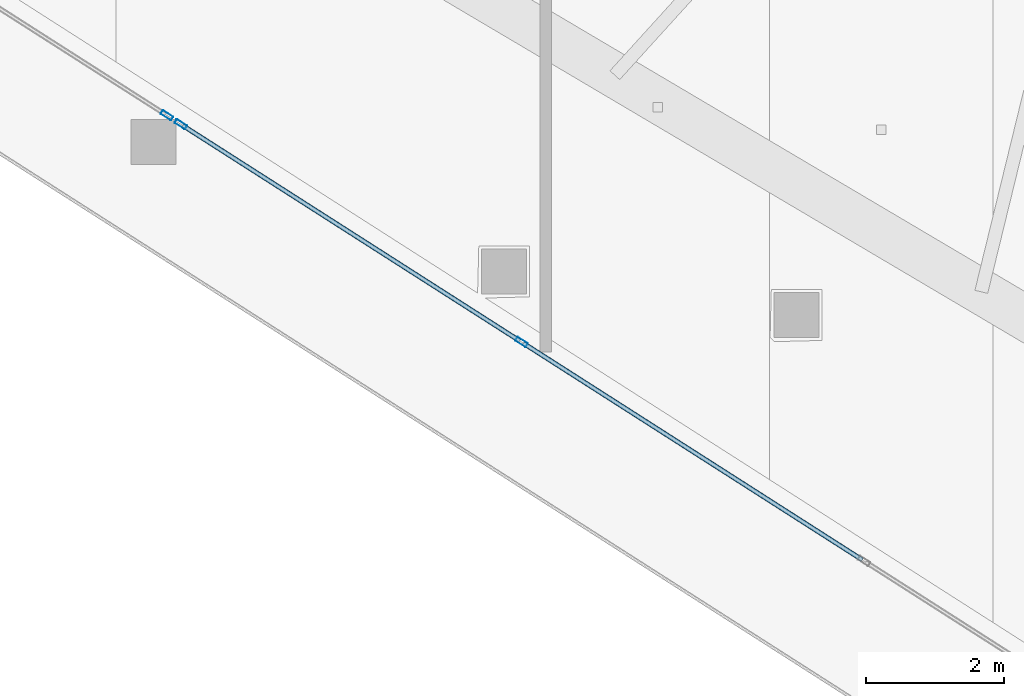
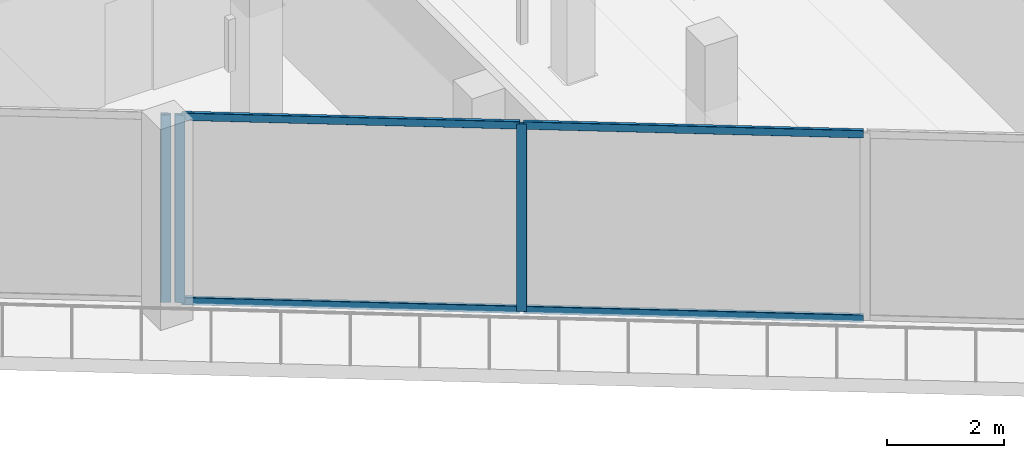
# One storey, part 2 of 45: 7 members, 2 elements without a shape of their own.
"""IFC4 building model written with IfcOpenShell, lengths in metres."""

from ifc_helpers import new_model, si_unit, direction, frame, origin, origin_2d, place, context, subcontext, project, spatial, hollow_rectangle, extrude, material, layer, layer_set, material_profile, profile_set, type_object, element, aggregate, save


model = new_model("IFC4")

# Units and contexts
model_context = context("Model", 3, precision=1e-05, world=origin(), true_north=direction((0.0, 1.0)))
body_context = subcontext(model_context, "Body", "Model", "MODEL_VIEW")
ifc_project = project(units=[si_unit("LENGTHUNIT", "METRE"), si_unit("AREAUNIT", "SQUARE_METRE"), si_unit("VOLUMEUNIT", "CUBIC_METRE"), si_unit("PLANEANGLEUNIT", "RADIAN"), si_unit("MASSUNIT", "GRAM", prefix="KILO")], contexts=[model_context])

# Site, building, storey
site_placement = place(None, origin())
site = spatial("IfcSite", under=ifc_project, at=site_placement, CompositionType="ELEMENT")
building_placement = place(site_placement, origin())
building = spatial("IfcBuilding", under=site, at=building_placement, Name="Qorvath Tower", CompositionType="ELEMENT")
storey_placement = place(building_placement, frame((0.0, 0.0, 66.0)))
storey = spatial("IfcBuildingStorey", under=building, at=storey_placement, Name="L14", CompositionType="ELEMENT", Elevation=66.0)

# Curtain wall, member
ifc_material_1 = material(Name="Anodised aluminium and triple low-E glass", Category="aluminium")
ifc_layer = layer(ifc_material_1, 0.179931640625)
ifc_layer_set = layer_set([ifc_layer], Name="CW-SYS-2")
curtain_wall_type = type_object("IfcCurtainWallType", Name="CW-SYS-2", PredefinedType="NOTDEFINED", material=ifc_layer_set)
curtain_wall_1_placement = place(storey_placement, origin())
curtain_wall_1 = element("IfcCurtainWall", 1, at=curtain_wall_1_placement, inside=storey, type_object=curtain_wall_type, Name="Curtain Wall CW-2 CW-T-L14-2.1", PredefinedType="NOTDEFINED")
ifc_material_2 = material(Name="Anodised aluminium 6063-T6", Category="aluminium")
ifc_material_profile_1 = material_profile(ifc_material_2, hollow_rectangle(XDim=0.06494140625, YDim=0.179931640625, WallThickness=0.00341796875, InnerFilletRadius=0.00341796875, OuterFilletRadius=0.007080078125, at=origin_2d()), Name="CWM 180x65")
ifc_profile_set_1 = profile_set([ifc_material_profile_1], Name="Anodised aluminium 6063-T6")
member_type_1 = type_object("IfcMemberType", Name="CWM-180", PredefinedType="MULLION", material=ifc_profile_set_1)
member_1_placement = place(storey_placement, frame((-40.136962890625, -16.568115234375, 0.0), z_axis=(0.0, 0.0, 1.0), x_axis=(0.538530641183, 0.842605927173, 0.0)))
member_1 = element("IfcMember", 2, at=member_1_placement, type_object=member_type_1, Name="CW-2 mullion 5", PredefinedType="MULLION", context=body_context, shape_type="SweptSolid", body=[
    extrude(hollow_rectangle(XDim=0.06494140625, YDim=0.179931640625, WallThickness=0.00341796875, InnerFilletRadius=0.00341796875, OuterFilletRadius=0.007080078125, at=origin_2d()), origin(), (0.0, 0.0, 1.0), 3.919921875),
])
aggregate(curtain_wall_1, [member_1])

# Curtain wall, members
curtain_wall_2_placement = place(storey_placement, origin())
curtain_wall_2 = element("IfcCurtainWall", 3, at=curtain_wall_2_placement, inside=storey, type_object=curtain_wall_type, Name="Curtain Wall CW-2 CW-T-L14-2.2", PredefinedType="NOTDEFINED")
member_2_placement = place(storey_placement, frame((-39.93505859375, -16.697509765625, 0.0), z_axis=(0.0, 0.0, 1.0), x_axis=(0.538537072857, 0.842601816494, 0.0)))
member_2 = element("IfcMember", 4, at=member_2_placement, type_object=member_type_1, Name="CW-2 mullion 1", PredefinedType="MULLION", context=body_context, shape_type="SweptSolid", body=[
    extrude(hollow_rectangle(XDim=0.06494140625, YDim=0.179931640625, WallThickness=0.00341796875, InnerFilletRadius=0.00341796875, OuterFilletRadius=0.007080078125, at=origin_2d()), origin(), (0.0, 0.0, 1.0), 3.919921875),
])
member_3_placement = place(storey_placement, frame((-35.0009765625, -19.85107421875, 0.0), z_axis=(0.0, 0.0, 1.0), x_axis=(0.538537072857, 0.842601816494, 0.0)))
member_3 = element("IfcMember", 5, at=member_3_placement, type_object=member_type_1, Name="CW-2 mullion 2", PredefinedType="MULLION", context=body_context, shape_type="SweptSolid", body=[
    extrude(hollow_rectangle(XDim=0.06494140625, YDim=0.179931640625, WallThickness=0.00341796875, InnerFilletRadius=0.00341796875, OuterFilletRadius=0.007080078125, at=origin_2d()), origin(), (0.0, 0.0, 1.0), 3.919921875),
])
ifc_material_3 = material(Name="Anodised aluminium 6063-T6", Category="aluminium")
ifc_material_profile_2 = material_profile(ifc_material_3, hollow_rectangle(XDim=0.06494140625, YDim=0.159912109375, WallThickness=0.00341796875, InnerFilletRadius=0.00341796875, OuterFilletRadius=0.007080078125, at=origin_2d()), Name="CWT 160x65")
ifc_profile_set_2 = profile_set([ifc_material_profile_2], Name="Anodised aluminium 6063-T6")
member_type_2 = type_object("IfcMemberType", Name="CWT-160", PredefinedType="USERDEFINED", material=ifc_profile_set_2)
member_4_placement = place(storey_placement, frame((-39.90771484375, -16.71484375, 0.032470703125), z_axis=(0.842597419402, -0.538543952539, 0.0), x_axis=(0.538543952539, 0.842597419402, 0.0)))
member_4 = element("IfcMember", 6, at=member_4_placement, type_object=member_type_2, Name="CW-2 transom 1.1", ObjectType="TRANSOM", PredefinedType="USERDEFINED", context=body_context, shape_type="SweptSolid", body=[
    extrude(hollow_rectangle(XDim=0.06494140625, YDim=0.159912109375, WallThickness=0.00341796875, InnerFilletRadius=0.00341796875, OuterFilletRadius=0.007080078125, at=origin_2d()), origin(), (0.0, 0.0, 1.0), 5.791015625),
])
member_5_placement = place(storey_placement, frame((-39.90771484375, -16.71484375, 3.887451171875), z_axis=(0.842597419402, -0.538543952539, 0.0), x_axis=(0.538543952539, 0.842597419402, 0.0)))
member_5 = element("IfcMember", 7, at=member_5_placement, type_object=member_type_2, Name="CW-2 transom 1.2", ObjectType="TRANSOM", PredefinedType="USERDEFINED", context=body_context, shape_type="SweptSolid", body=[
    extrude(hollow_rectangle(XDim=0.06494140625, YDim=0.159912109375, WallThickness=0.00341796875, InnerFilletRadius=0.00341796875, OuterFilletRadius=0.007080078125, at=origin_2d()), origin(), (0.0, 0.0, 1.0), 5.791015625),
])
member_6_placement = place(storey_placement, frame((-34.9736328125, -19.868408203125, 0.032470703125), z_axis=(0.842589514966, -0.538556319497, 0.0), x_axis=(0.538556319497, 0.842589514966, 0.0)))
member_6 = element("IfcMember", 8, at=member_6_placement, type_object=member_type_2, Name="CW-2 transom 2.1", ObjectType="TRANSOM", PredefinedType="USERDEFINED", context=body_context, shape_type="SweptSolid", body=[
    extrude(hollow_rectangle(XDim=0.06494140625, YDim=0.159912109375, WallThickness=0.00341796875, InnerFilletRadius=0.00341796875, OuterFilletRadius=0.007080078125, at=origin_2d()), origin(), (0.0, 0.0, 1.0), 5.823486328125),
])
member_7_placement = place(storey_placement, frame((-34.9736328125, -19.868408203125, 3.887451171875), z_axis=(0.842589514966, -0.538556319497, 0.0), x_axis=(0.538556319497, 0.842589514966, 0.0)))
member_7 = element("IfcMember", 9, at=member_7_placement, type_object=member_type_2, Name="CW-2 transom 2.2", ObjectType="TRANSOM", PredefinedType="USERDEFINED", context=body_context, shape_type="SweptSolid", body=[
    extrude(hollow_rectangle(XDim=0.06494140625, YDim=0.159912109375, WallThickness=0.00341796875, InnerFilletRadius=0.00341796875, OuterFilletRadius=0.007080078125, at=origin_2d()), origin(), (0.0, 0.0, 1.0), 5.823486328125),
])
aggregate(curtain_wall_2, [member_2, member_3, member_4, member_5, member_6, member_7])

save(model, "model.ifc")
